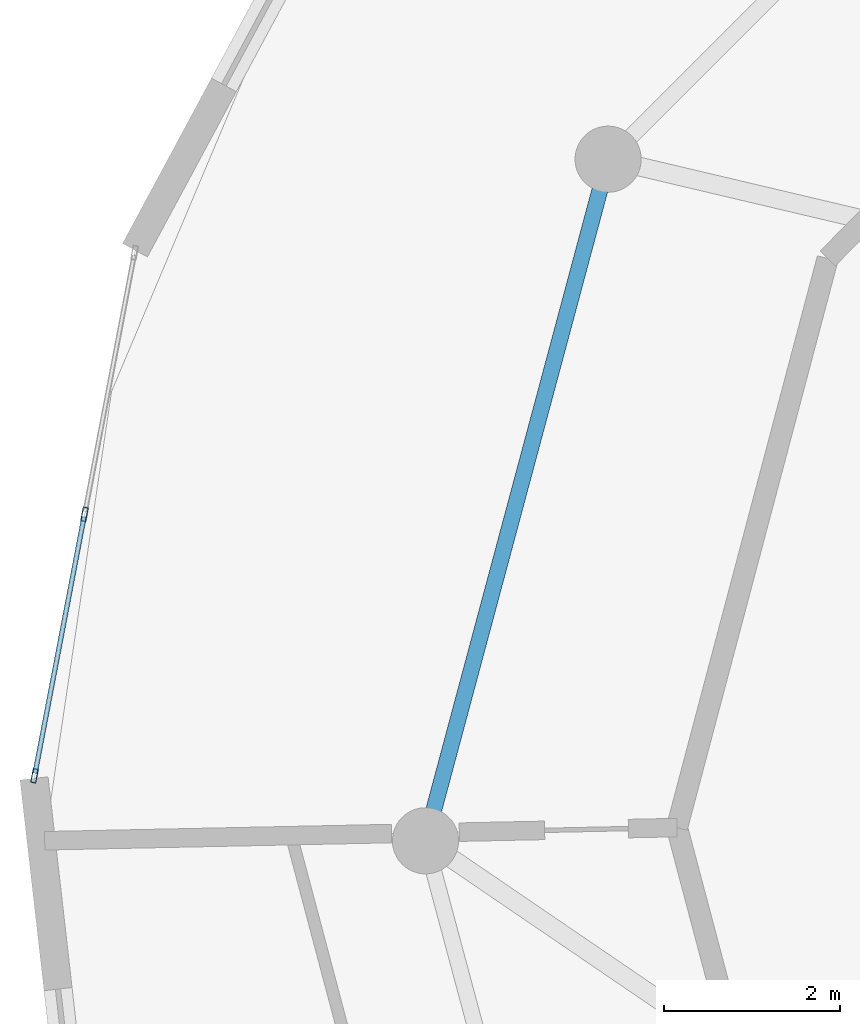
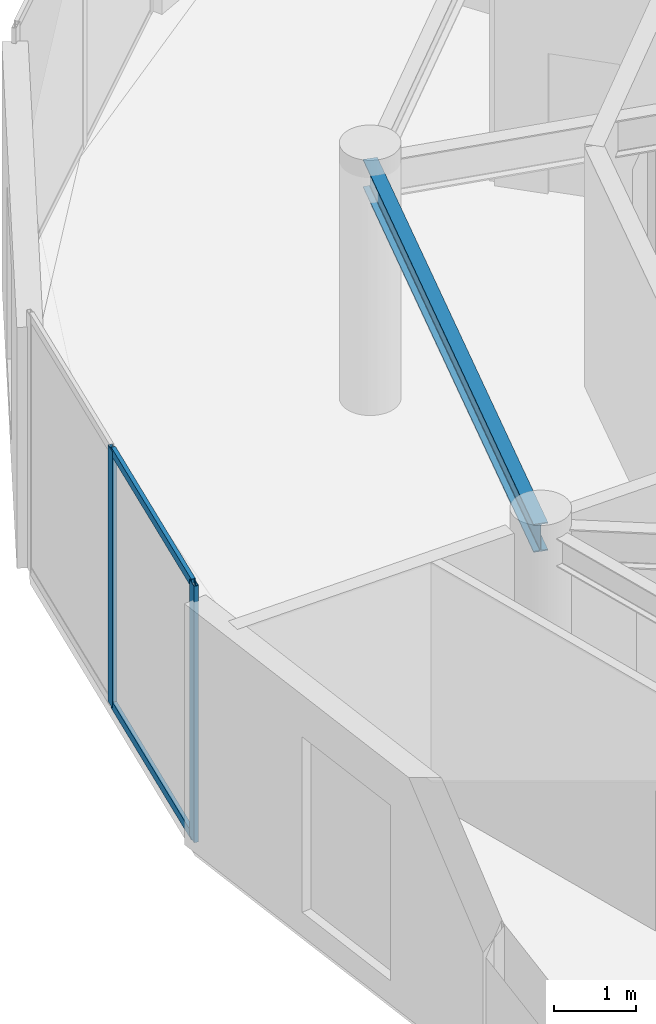
# One storey, part 7 of 23: 4 members, 1 beam, 1 element without a shape of its own.
"""IFC4 building model written with IfcOpenShell, lengths in metres."""

from ifc_helpers import new_model, si_unit, direction, frame, origin, origin_2d, place, context, subcontext, project, spatial, hollow_rectangle, i_section, extrude, source, transform, mapped, material, layer, layer_set, material_profile, profile_set, type_object, element, aggregate, save


model = new_model("IFC4")

# Units and contexts
model_context = context("Model", 3, precision=1e-05, world=origin(), true_north=direction((0.0, 1.0)))
body_context = subcontext(model_context, "Body", "Model", "MODEL_VIEW")
ifc_project = project(units=[si_unit("LENGTHUNIT", "METRE"), si_unit("AREAUNIT", "SQUARE_METRE"), si_unit("VOLUMEUNIT", "CUBIC_METRE"), si_unit("PLANEANGLEUNIT", "RADIAN"), si_unit("MASSUNIT", "GRAM", prefix="KILO")], contexts=[model_context])

# Site, building, storey
site_placement = place(None, origin())
site = spatial("IfcSite", under=ifc_project, at=site_placement, CompositionType="ELEMENT")
building_placement = place(site_placement, origin())
building = spatial("IfcBuilding", under=site, at=building_placement, Name="Solvirekh Grand Hotel", CompositionType="ELEMENT")
storey_placement = place(building_placement, frame((0.0, 0.0, 285.800048828125)))
storey = spatial("IfcBuildingStorey", under=building, at=storey_placement, Name="L74", CompositionType="ELEMENT", Elevation=285.800048828125)

# Beam
ifc_material_1 = material(Name="Steel S355", Category="steel")
ifc_material_profile_1 = material_profile(ifc_material_1, i_section(OverallWidth=0.180908203125, OverallDepth=0.4169921875, WebThickness=0.010009765625, FlangeThickness=0.01611328125, FilletRadius=0.011962890625, at=origin_2d()), Name="W410X85")
ifc_profile_set_1 = profile_set([ifc_material_profile_1], Name="Steel S355")
beam_type = type_object("IfcBeamType", Name="Spandrel_Ring_W410", PredefinedType="SPANDREL", material=ifc_profile_set_1)
beam_placement = place(storey_placement, frame((-13.3798828125, 7.72509765625, 3.36083984375), z_axis=(-0.258834757072, -0.965921616143, 0.0), x_axis=(0.965921616143, -0.258834757072, 0.0)))
element("IfcBeam", 1, at=beam_placement, inside=storey, type_object=beam_type, Name="L74 perimeter spandrel beam 6", PredefinedType="SPANDREL", context=body_context, shape_type="SweptSolid", body=[
    extrude(i_section(OverallWidth=0.180908203125, OverallDepth=0.4169921875, WebThickness=0.010009765625, FlangeThickness=0.01611328125, FilletRadius=0.011962890625, at=origin_2d()), origin(), (0.0, 0.0, 1.0), 7.99755859375),
])

# Curtain wall, members
ifc_material_2 = material(Name="Anodized Bronze Aluminium 6063-T6", Category="aluminium")
ifc_layer = layer(ifc_material_2, 0.159912109375)
ifc_layer_set = layer_set([ifc_layer], Name="Anodized Bronze Aluminium 6063-T6")
curtain_wall_type = type_object("IfcCurtainWallType", Name="CW_Sys4_HighZoneFlushBronzeCW", PredefinedType="NOTDEFINED", material=ifc_layer_set)
curtain_wall_placement = place(storey_placement, origin())
curtain_wall = element("IfcCurtainWall", 2, at=curtain_wall_placement, inside=storey, type_object=curtain_wall_type, Name="L74 unitised bronze-glass curtain wall CW-L74-C15", PredefinedType="NOTDEFINED")
ifc_material_profile_2 = material_profile(ifc_material_2, hollow_rectangle(XDim=0.06005859375, YDim=0.159912109375, WallThickness=0.0048828125, at=origin_2d()), Name="ALU RHS 160X60X5")
ifc_profile_set_2 = profile_set([ifc_material_profile_2], Name="Anodized Bronze Aluminium 6063-T6")
member_type_1 = type_object("IfcMemberType", Name="CWMullion_Sys4", PredefinedType="MULLION", material=ifc_profile_set_2)
shared_shape_1 = source(origin(), body_context, "Body", "SweptSolid", [
    extrude(hollow_rectangle(XDim=0.06005859375, YDim=0.159912109375, WallThickness=0.0048828125, at=origin_2d()), origin(), (0.0, 0.0, 1.0), 3.800048828125),
])
member_1_placement = place(storey_placement, frame((-19.31494140625, 3.700439453125, 0.0), z_axis=(0.0, 0.0, 1.0), x_axis=(0.982229265101, -0.187685030778, 0.0)))
member_1 = element("IfcMember", 3, at=member_1_placement, type_object=member_type_1, Name="U04 mullion 2", PredefinedType="MULLION", context=body_context, shape_type="MappedRepresentation", body=[
    mapped(shared_shape_1, transform((0.0, 0.0, 0.0), x_axis=(1.0, 0.0, 0.0), y_axis=(0.0, 1.0, 0.0), z_axis=(0.0, 0.0, 1.0), scale=1.0)),
])
member_2_placement = place(storey_placement, frame((-19.88134765625, 0.736572265625, 0.0), z_axis=(0.0, 0.0, 1.0), x_axis=(0.982229265101, -0.187685030778, 0.0)))
member_2 = element("IfcMember", 4, at=member_2_placement, type_object=member_type_1, Name="U04 mullion 3", PredefinedType="MULLION", context=body_context, shape_type="MappedRepresentation", body=[
    mapped(shared_shape_1, transform((0.0, 0.0, 0.0), x_axis=(1.0, 0.0, 0.0), y_axis=(0.0, 1.0, 0.0), z_axis=(0.0, 0.0, 1.0), scale=1.0)),
])
ifc_material_profile_3 = material_profile(ifc_material_2, hollow_rectangle(XDim=0.054931640625, YDim=0.1201171875, WallThickness=0.00390625, at=origin_2d()), Name="ALU RHS 120X55X4")
ifc_profile_set_3 = profile_set([ifc_material_profile_3], Name="Anodized Bronze Aluminium 6063-T6")
member_type_2 = type_object("IfcMemberType", Name="CWTransom_Sys4", PredefinedType="USERDEFINED", material=ifc_profile_set_3)
shared_shape_2 = source(origin(), body_context, "Body", "SweptSolid", [
    extrude(hollow_rectangle(XDim=0.054931640625, YDim=0.1201171875, WallThickness=0.00390625, at=origin_2d()), origin(), (0.0, 0.0, 1.0), 2.957763671875),
])
member_3_placement = place(storey_placement, frame((-19.320556640625, 3.671142578125, 0.02734375), z_axis=(-0.187696176932, -0.982227135221, 0.0), x_axis=(0.982227135221, -0.187696176932, 0.0)))
member_3 = element("IfcMember", 5, at=member_3_placement, type_object=member_type_2, Name="U04 transom 2.1", ObjectType="TRANSOM", PredefinedType="USERDEFINED", context=body_context, shape_type="MappedRepresentation", body=[
    mapped(shared_shape_2, transform((0.0, 0.0, 0.0), x_axis=(1.0, 0.0, 0.0), y_axis=(0.0, 1.0, 0.0), z_axis=(0.0, 0.0, 1.0), scale=1.0)),
])
member_4_placement = place(storey_placement, frame((-19.320556640625, 3.671142578125, 3.7724609375), z_axis=(-0.187696176932, -0.982227135221, 0.0), x_axis=(0.982227135221, -0.187696176932, 0.0)))
member_4 = element("IfcMember", 6, at=member_4_placement, type_object=member_type_2, Name="U04 transom 2.2", ObjectType="TRANSOM", PredefinedType="USERDEFINED", context=body_context, shape_type="MappedRepresentation", body=[
    mapped(shared_shape_2, transform((0.0, 0.0, 0.0), x_axis=(1.0, 0.0, 0.0), y_axis=(0.0, 1.0, 0.0), z_axis=(0.0, 0.0, 1.0), scale=1.0)),
])
aggregate(curtain_wall, [member_1, member_2, member_3, member_4])

save(model, "model.ifc")
